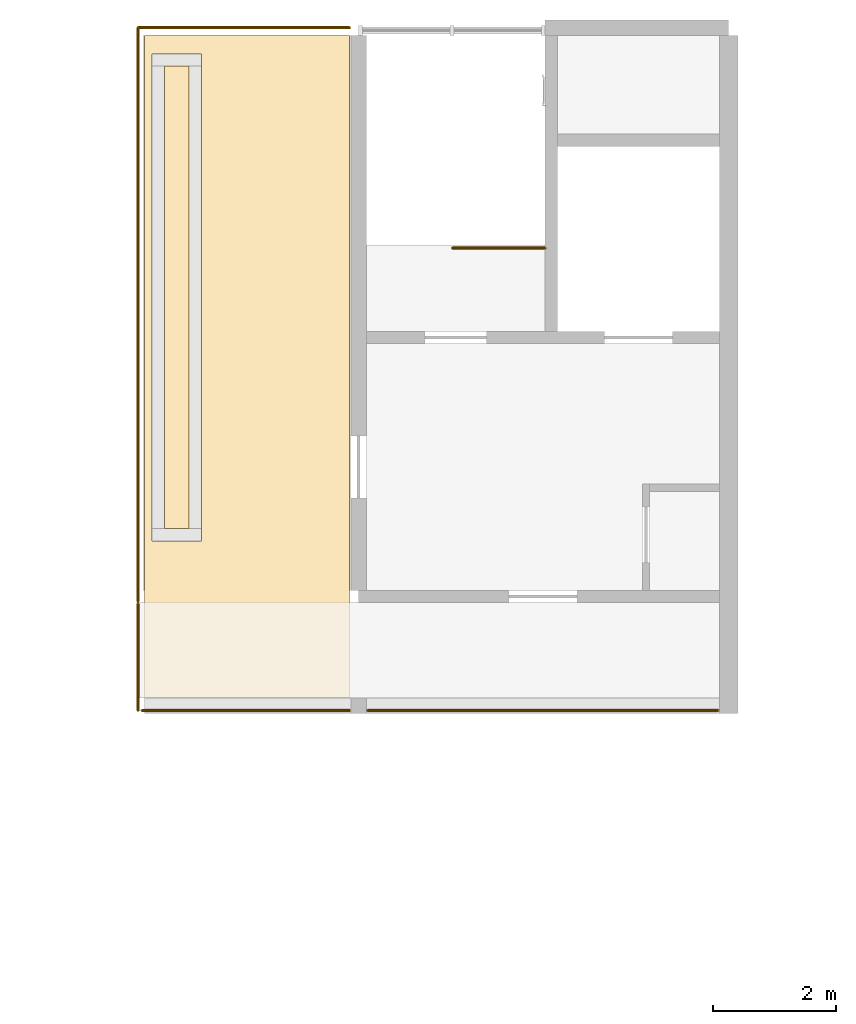
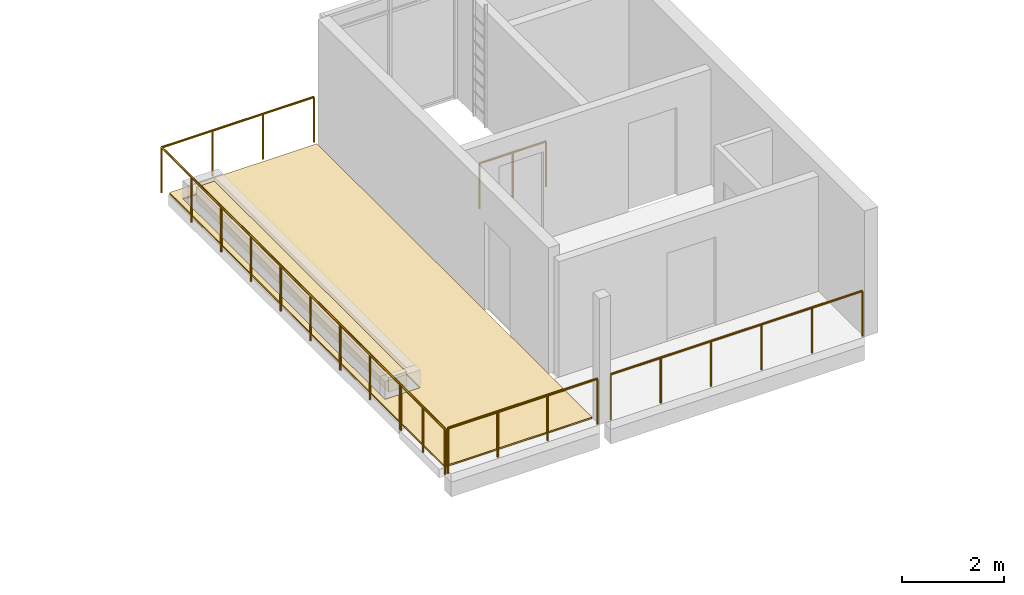
# One storey, part 53 of 55: 5 railings, 3 coverings.
"""IFC4 building model written with IfcOpenShell, lengths in metres."""

from ifc_helpers import new_model, si_unit, direction, frame, origin, origin_2d, place, context, subcontext, project, spatial, polyline, circle, outline, extrude, material, layer, layer_set, type_object, element, save


model = new_model("IFC4")

# Units and contexts
model_context = context("Model", 3, precision=1e-05, world=origin(), true_north=direction((0.0, 1.0)))
body_context = subcontext(model_context, "Body", "Model", "MODEL_VIEW")
ifc_project = project(units=[si_unit("LENGTHUNIT", "METRE"), si_unit("AREAUNIT", "SQUARE_METRE"), si_unit("VOLUMEUNIT", "CUBIC_METRE"), si_unit("PLANEANGLEUNIT", "RADIAN"), si_unit("MASSUNIT", "GRAM", prefix="KILO")], contexts=[model_context])

# Site, building, storey
site_placement = place(None, origin())
site = spatial("IfcSite", under=ifc_project, at=site_placement, CompositionType="ELEMENT")
building_placement = place(site_placement, origin())
building = spatial("IfcBuilding", under=site, at=building_placement, Name="Ridgestep Commons", CompositionType="ELEMENT")
storey_placement = place(building_placement, frame((0.0, 0.0, 36.0)))
storey = spatial("IfcBuildingStorey", under=building, at=storey_placement, Name="L12", CompositionType="ELEMENT", Elevation=36.0)

# Railings
ifc_material_1 = material(Name="Structural steel S355JR", Category="steel")
railing_type_1 = type_object("IfcRailingType", Name="Guard 1100", PredefinedType="GUARDRAIL", material=ifc_material_1)
railing_1_placement = place(storey_placement, frame((221.220947265625, 67.821044921875, 0.0)))
element("IfcRailing", 1, at=railing_1_placement, inside=storey, type_object=railing_type_1, Name="Guard TD-C5R3-GD", PredefinedType="GUARDRAIL", context=body_context, shape_type="SweptSolid", body=[
    extrude(circle(Radius=0.02392578125, at=origin_2d()), frame((0.0, 0.0, 1.076171875), z_axis=(0.0, 1.0, 0.0), x_axis=(-1.0, 0.0, 0.0)), (0.0, 0.0, 1.0), 9.303955078125),
    extrude(circle(Radius=0.02392578125, at=origin_2d()), frame((0.0, 9.303955078125, 1.076171875), z_axis=(1.0, 0.0, 0.0), x_axis=(0.0, 1.0, 0.0)), (0.0, 0.0, 1.0), 3.43310546875),
    extrude(circle(Radius=0.02099609375, at=origin_2d()), origin(), (0.0, 0.0, 1.0), 1.052001953125),
    extrude(circle(Radius=0.02099609375, at=origin_2d()), frame((0.0, 1.1630859375, 0.0)), (0.0, 0.0, 1.0), 1.052001953125),
    extrude(circle(Radius=0.02099609375, at=origin_2d()), frame((0.0, 2.325927734375, 0.0)), (0.0, 0.0, 1.0), 1.052001953125),
    extrude(circle(Radius=0.02099609375, at=origin_2d()), frame((0.0, 3.489013671875, 0.0)), (0.0, 0.0, 1.0), 1.052001953125),
    extrude(circle(Radius=0.02099609375, at=origin_2d()), frame((0.0, 4.65185546875, 0.0)), (0.0, 0.0, 1.0), 1.052001953125),
    extrude(circle(Radius=0.02099609375, at=origin_2d()), frame((0.0, 5.81494140625, 0.0)), (0.0, 0.0, 1.0), 1.052001953125),
    extrude(circle(Radius=0.02099609375, at=origin_2d()), frame((0.0, 6.97802734375, 0.0)), (0.0, 0.0, 1.0), 1.052001953125),
    extrude(circle(Radius=0.02099609375, at=origin_2d()), frame((0.0, 8.140869140625, 0.0)), (0.0, 0.0, 1.0), 1.052001953125),
    extrude(circle(Radius=0.02099609375, at=origin_2d()), frame((0.0, 9.303955078125, 0.0)), (0.0, 0.0, 1.0), 1.052001953125),
    extrude(circle(Radius=0.02099609375, at=origin_2d()), frame((1.144287109375, 9.303955078125, 0.0)), (0.0, 0.0, 1.0), 1.052001953125),
    extrude(circle(Radius=0.02099609375, at=origin_2d()), frame((2.288818359375, 9.303955078125, 0.0)), (0.0, 0.0, 1.0), 1.052001953125),
    extrude(circle(Radius=0.02099609375, at=origin_2d()), frame((3.43310546875, 9.303955078125, 0.0)), (0.0, 0.0, 1.0), 1.052001953125),
])
railing_2_placement = place(storey_placement, frame((221.283935546875, 66.050048828125, 0.0)))
element("IfcRailing", 2, at=railing_2_placement, inside=storey, type_object=railing_type_1, Name="Gallery guard C 12.1", PredefinedType="GUARDRAIL", context=body_context, shape_type="SweptSolid", body=[
    extrude(circle(Radius=0.02392578125, at=origin_2d()), frame((0.0, 0.0, 1.076171875), z_axis=(1.0, 0.0, 0.0), x_axis=(0.0, 1.0, 0.0)), (0.0, 0.0, 1.0), 3.3701171875),
    extrude(circle(Radius=0.02099609375, at=origin_2d()), origin(), (0.0, 0.0, 1.0), 1.052001953125),
    extrude(circle(Radius=0.02099609375, at=origin_2d()), frame((1.123291015625, 0.0, 0.0)), (0.0, 0.0, 1.0), 1.052001953125),
    extrude(circle(Radius=0.02099609375, at=origin_2d()), frame((2.246826171875, 0.0, 0.0)), (0.0, 0.0, 1.0), 1.052001953125),
    extrude(circle(Radius=0.02099609375, at=origin_2d()), frame((3.3701171875, 0.0, 0.0)), (0.0, 0.0, 1.0), 1.052001953125),
])
railing_3_placement = place(storey_placement, frame((221.220947265625, 66.050048828125, 0.0)))
element("IfcRailing", 3, at=railing_3_placement, inside=storey, type_object=railing_type_1, Name="Gallery end guard C 12.1W", PredefinedType="GUARDRAIL", context=body_context, shape_type="SweptSolid", body=[
    extrude(circle(Radius=0.02392578125, at=origin_2d()), frame((0.0, 0.0, 1.076171875), z_axis=(0.0, 1.0, 0.0), x_axis=(-1.0, 0.0, 0.0)), (0.0, 0.0, 1.0), 1.72900390625),
    extrude(circle(Radius=0.02099609375, at=origin_2d()), origin(), (0.0, 0.0, 1.0), 1.052001953125),
    extrude(circle(Radius=0.02099609375, at=origin_2d()), frame((0.0, 0.864501953125, 0.0)), (0.0, 0.0, 1.0), 1.052001953125),
    extrude(circle(Radius=0.02099609375, at=origin_2d()), frame((0.0, 1.72900390625, 0.0)), (0.0, 0.0, 1.0), 1.052001953125),
])
railing_4_placement = place(storey_placement, frame((224.946044921875, 66.050048828125, 0.0)))
element("IfcRailing", 4, at=railing_4_placement, inside=storey, type_object=railing_type_1, Name="Gallery guard C 12.2", PredefinedType="GUARDRAIL", context=body_context, shape_type="SweptSolid", body=[
    extrude(circle(Radius=0.02392578125, at=origin_2d()), frame((0.0, 0.0, 1.076171875), z_axis=(1.0, 0.0, 0.0), x_axis=(0.0, 1.0, 0.0)), (0.0, 0.0, 1.0), 5.682861328125),
    extrude(circle(Radius=0.02099609375, at=origin_2d()), origin(), (0.0, 0.0, 1.0), 1.052001953125),
    extrude(circle(Radius=0.02099609375, at=origin_2d()), frame((1.136474609375, 0.0, 0.0)), (0.0, 0.0, 1.0), 1.052001953125),
    extrude(circle(Radius=0.02099609375, at=origin_2d()), frame((2.273193359375, 0.0, 0.0)), (0.0, 0.0, 1.0), 1.052001953125),
    extrude(circle(Radius=0.02099609375, at=origin_2d()), frame((3.40966796875, 0.0, 0.0)), (0.0, 0.0, 1.0), 1.052001953125),
    extrude(circle(Radius=0.02099609375, at=origin_2d()), frame((4.54638671875, 0.0, 0.0)), (0.0, 0.0, 1.0), 1.052001953125),
    extrude(circle(Radius=0.02099609375, at=origin_2d()), frame((5.682861328125, 0.0, 0.0)), (0.0, 0.0, 1.0), 1.052001953125),
])

# Covering
ifc_material_2 = material(Name="Planting soil")
ifc_layer_1 = layer(ifc_material_2, 0.35009765625)
ifc_layer_set_1 = layer_set([ifc_layer_1], Name="Planting soil 350")
covering_type_1 = type_object("IfcCoveringType", Name="Planting soil 350", PredefinedType="FLOORING", material=ifc_layer_set_1)
covering_1_placement = place(storey_placement, frame((0.0, 0.0, 0.010009765625)))
element("IfcCovering", 5, at=covering_1_placement, inside=storey, type_object=covering_type_1, Name="Planting soil C5R3", PredefinedType="FLOORING", context=body_context, shape_type="SweptSolid", body=[
    extrude(outline(polyline([(221.64990234375, 69.0), (222.050048828125, 69.0), (222.050048828125, 76.5), (221.64990234375, 76.5), (221.64990234375, 69.0)])), origin(), (0.0, 0.0, 1.0), 0.35009765625),
])

# Railing
ifc_material_3 = material(Name="Structural steel S355JR", Category="steel")
railing_type_2 = type_object("IfcRailingType", Name="Stair guard 1100", PredefinedType="GUARDRAIL", material=ifc_material_3)
railing_5_placement = place(storey_placement, frame((227.824951171875, 73.550048828125, 0.0)))
element("IfcRailing", 6, at=railing_5_placement, inside=storey, type_object=railing_type_2, Name="L12 C5C top well guard 1", PredefinedType="GUARDRAIL", context=body_context, shape_type="SweptSolid", body=[
    extrude(circle(Radius=0.02392578125, at=origin_2d()), frame((0.0, 0.0, 1.076171875), z_axis=(-1.0, 0.0, 0.0), x_axis=(0.0, -1.0, 0.0)), (0.0, 0.0, 1.0), 1.5),
    extrude(circle(Radius=0.02099609375, at=origin_2d()), origin(), (0.0, 0.0, 1.0), 1.052001953125),
    extrude(circle(Radius=0.02099609375, at=origin_2d()), frame((-0.75, 0.0, 0.0)), (0.0, 0.0, 1.0), 1.052001953125),
    extrude(circle(Radius=0.02099609375, at=origin_2d()), frame((-1.5, 0.0, 0.0)), (0.0, 0.0, 1.0), 1.052001953125),
])

# Coverings
ifc_material_4 = material(Name="Bitumen membrane, two layer")
ifc_layer_2 = layer(ifc_material_4, 0.010009765625)
ifc_layer_set_2 = layer_set([ifc_layer_2], Name="Terrace membrane 10")
covering_type_2 = type_object("IfcCoveringType", Name="Terrace membrane 10", PredefinedType="ROOFING", material=ifc_layer_set_2)
covering_2_placement = place(storey_placement, origin())
element("IfcCovering", 7, at=covering_2_placement, inside=storey, type_object=covering_type_2, Name="Terrace membrane C5R3", PredefinedType="ROOFING", context=body_context, shape_type="SweptSolid", body=[
    extrude(outline(polyline([(224.64990234375, 66.25), (224.64990234375, 77.0), (221.324951171875, 77.0), (221.324951171875, 66.25), (224.64990234375, 66.25)]), holes=[polyline([(222.25, 68.800048828125), (222.25, 76.699951171875), (221.449951171875, 76.699951171875), (221.449951171875, 68.800048828125), (222.25, 68.800048828125)])]), origin(), (0.0, 0.0, 1.0), 0.010009765625),
])
ifc_material_5 = material(Name="Concrete paving slab", Category="concrete")
ifc_layer_3 = layer(ifc_material_5, 0.030029296875)
ifc_layer_set_3 = layer_set([ifc_layer_3], Name="Terrace paving 30")
covering_type_3 = type_object("IfcCoveringType", Name="Terrace paving 30", PredefinedType="FLOORING", material=ifc_layer_set_3)
covering_3_placement = place(storey_placement, frame((0.0, 0.0, 0.010009765625)))
element("IfcCovering", 8, at=covering_3_placement, inside=storey, type_object=covering_type_3, Name="Terrace paving C5R3", PredefinedType="FLOORING", context=body_context, shape_type="SweptSolid", body=[
    extrude(outline(polyline([(224.64990234375, 66.25), (224.64990234375, 77.0), (221.324951171875, 77.0), (221.324951171875, 66.25), (224.64990234375, 66.25)]), holes=[polyline([(222.25, 68.800048828125), (222.25, 76.699951171875), (221.449951171875, 76.699951171875), (221.449951171875, 68.800048828125), (222.25, 68.800048828125)])]), origin(), (0.0, 0.0, 1.0), 0.030029296875),
])

save(model, "model.ifc")
